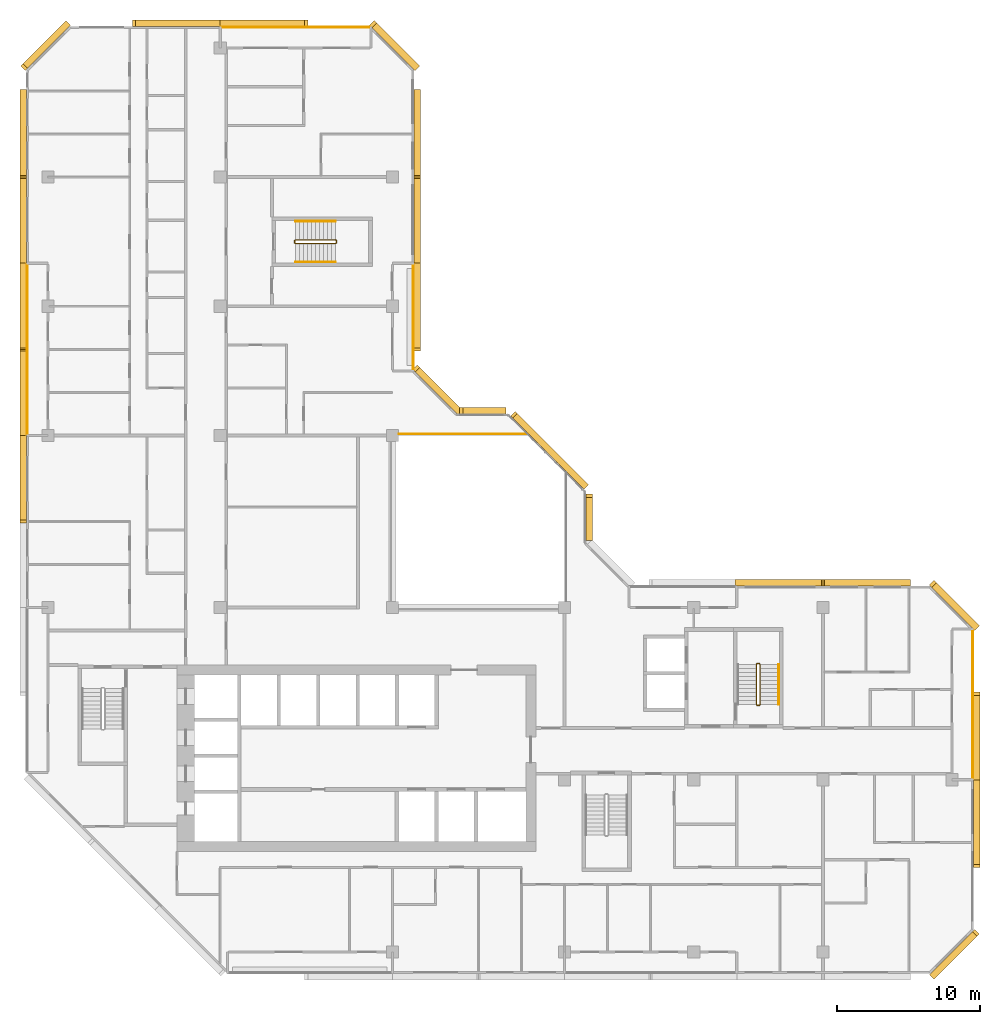
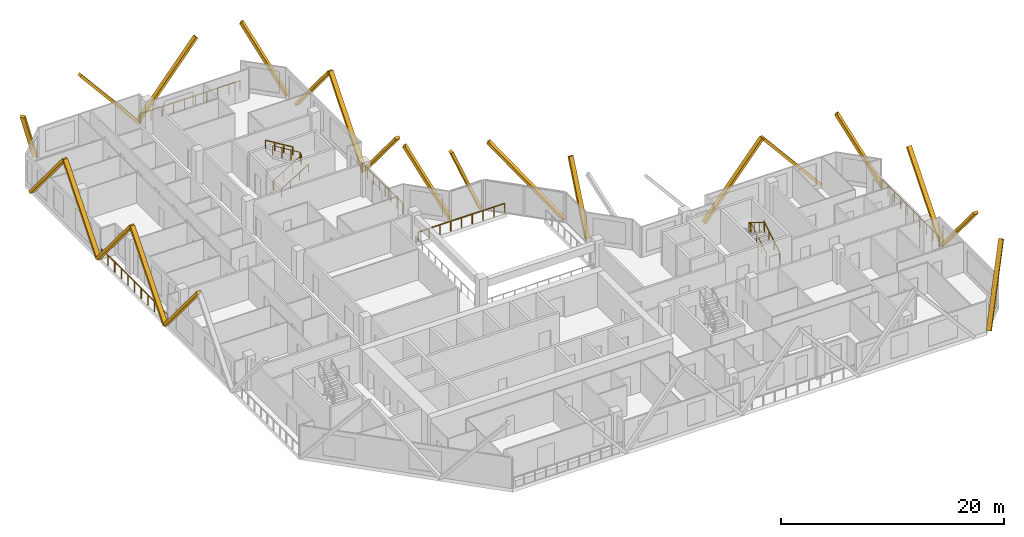
# One storey, part 14 of 14: 22 coverings, 10 railings.
"""IFC4 building model written with IfcOpenShell, lengths in metres."""

import ifcopenshell
import ifcopenshell.guid

model = None  # the IFC model being written
_history = None  # IfcOwnerHistory: only IFC2X3 demands one
_inside = {}  # id of a spatial element -> (the spatial element, [elements in it])
_under = {}  # id of a project, library or spatial element -> (it, [spatial elements below it])
_declared = {}  # id of a project -> (the project, [libraries it declares])
_typed = {}  # id of a type object -> (the type object, [elements of that type])
_made_of = {}  # id of a material, layer set ... -> (it, [elements and type objects made of it])


def new_model(schema):
    """Start an empty IFC model of exactly this schema.

    Asked for "IFC4X3", IfcOpenShell would pick the latest addendum, in which some entities
    have other attributes; the version numbers below select the first issue.
    IFC2X3 requires an IfcOwnerHistory on every rooted entity: one is made here for all.
    """
    global model, _history
    if schema == "IFC4X3":
        model = ifcopenshell.file(schema_version=(4, 3, 0, 0))
    else:
        model = ifcopenshell.file(schema=schema)
    _inside.clear()
    _under.clear()
    _declared.clear()
    _typed.clear()
    _made_of.clear()
    _history = None
    if model.schema == "IFC2X3":
        org = make("IfcOrganization", Name="unknown")
        user = make(
            "IfcPersonAndOrganization",
            ThePerson=make("IfcPerson", FamilyName="unknown"),
            TheOrganization=org,
        )
        app = make(
            "IfcApplication",
            ApplicationDeveloper=org,
            Version="unknown",
            ApplicationFullName="unknown",
            ApplicationIdentifier="unknown",
        )
        _history = make(
            "IfcOwnerHistory",
            OwningUser=user,
            OwningApplication=app,
            ChangeAction="ADDED",
            CreationDate=0,
        )
    return model


def make(cls, **values):
    """One entity of the class cls with the attributes given. An attribute that is None is left unset."""
    return model.create_entity(
        cls, **{name: value for name, value in values.items() if value is not None}
    )


def rooted(cls, **values):
    """An entity with a GlobalId (a new one), such as an element, a storey or a relation."""
    return make(cls, GlobalId=ifcopenshell.guid.new(), OwnerHistory=_history, **values)


def si_unit(unit_type, name, prefix=None):
    """IfcSIUnit, for example si_unit("LENGTHUNIT", "METRE", prefix="MILLI")."""
    return make("IfcSIUnit", UnitType=unit_type, Prefix=prefix, Name=name)


def assignment(units):
    """IfcUnitAssignment: the units of a project."""
    return None if units is None else make("IfcUnitAssignment", Units=units)


def point(xyz):
    """IfcCartesianPoint."""
    return None if xyz is None else make("IfcCartesianPoint", Coordinates=xyz)


def direction(xyz):
    """IfcDirection."""
    return None if xyz is None else make("IfcDirection", DirectionRatios=xyz)


def frame(location, z_axis=None, x_axis=None):
    """IfcAxis2Placement3D, a coordinate frame: its origin and axes. An axis left out is left unset."""
    return make(
        "IfcAxis2Placement3D",
        Location=point(location),
        Axis=direction(z_axis),
        RefDirection=direction(x_axis),
    )


def frame_2d(location, x_axis=None):
    """IfcAxis2Placement2D, a coordinate frame in the plane: its origin and x axis."""
    return make(
        "IfcAxis2Placement2D", Location=point(location), RefDirection=direction(x_axis)
    )


def origin():
    """The frame at (0, 0, 0) with its axes left unset."""
    return frame((0.0, 0.0, 0.0))


def origin_2d():
    """The frame at (0, 0) in the plane with its x axis left unset."""
    return frame_2d((0.0, 0.0))


def place(relative_to, where):
    """IfcLocalPlacement: puts the frame where relative to a parent placement (None: the world)."""
    return make(
        "IfcLocalPlacement", PlacementRelTo=relative_to, RelativePlacement=where
    )


def context(
    kind, dimensions, precision=None, world=None, true_north=None, identifier=None
):
    """IfcGeometricRepresentationContext, for example the 3D "Model" context."""
    return make(
        "IfcGeometricRepresentationContext",
        ContextIdentifier=identifier,
        ContextType=kind,
        CoordinateSpaceDimension=dimensions,
        Precision=precision,
        WorldCoordinateSystem=world,
        TrueNorth=true_north,
    )


def subcontext(parent, identifier, kind, view, scale=None):
    """IfcGeometricRepresentationSubContext, for example "Body" below "Model"."""
    return make(
        "IfcGeometricRepresentationSubContext",
        ContextIdentifier=identifier,
        ContextType=kind,
        ParentContext=parent,
        TargetScale=scale,
        TargetView=view,
    )


def project(units=None, contexts=None):
    """IfcProject with its units and contexts."""
    return rooted(
        "IfcProject",
        Name="project",
        RepresentationContexts=contexts,
        UnitsInContext=assignment(units),
    )


def spatial(cls, under=None, at=None, **own):
    """A site, building, storey or space (cls), placed at a placement, below another one or the project."""
    s = rooted(cls, ObjectPlacement=at, **own)
    if under is not None:
        _under.setdefault(under.id(), (under, []))[1].append(s)
    return s


def profile(cls, at=None, kind="AREA", **sizes):
    """A parametric profile (cls). Its sizes go by their IFC names, for example OverallWidth=200.0."""
    return make(cls, ProfileType=kind, Position=at, **sizes)


def rectangle(**sizes):
    """IfcRectangleProfileDef."""
    return profile("IfcRectangleProfileDef", **sizes)


def extrude(swept, where, along, depth):
    """IfcExtrudedAreaSolid: the profile swept, set in the frame where, extruded along a direction by depth."""
    return make(
        "IfcExtrudedAreaSolid",
        SweptArea=swept,
        Position=where,
        ExtrudedDirection=direction(along),
        Depth=depth,
    )


def shape(context_of_items, identifier, shape_type, items):
    """IfcShapeRepresentation: the items that make up one representation, for example the "Body"."""
    return make(
        "IfcShapeRepresentation",
        ContextOfItems=context_of_items,
        RepresentationIdentifier=identifier,
        RepresentationType=shape_type,
        Items=items,
    )


def material(Name=None, Category=None):
    """IfcMaterial."""
    return make("IfcMaterial", Name=Name, Category=Category)


def material_profile(
    of_material, cross_section, Name=None, Category=None, Priority=None
):
    """IfcMaterialProfile: a cross section and its material."""
    return make(
        "IfcMaterialProfile",
        Name=Name,
        Material=of_material,
        Profile=cross_section,
        Priority=Priority,
        Category=Category,
    )


def profile_set(profiles, Name=None, composite=None):
    """IfcMaterialProfileSet."""
    return make(
        "IfcMaterialProfileSet",
        Name=Name,
        MaterialProfiles=profiles,
        CompositeProfile=composite,
    )


def made_of(thing, what):
    """Note that an element or type object is made of a material, layer set ...; save() writes the relation."""
    if what is not None:
        _made_of.setdefault(what.id(), (what, []))[1].append(thing)
    return thing


def type_object(cls, material=None, **own):
    """A type object (cls), such as IfcWallType, which elements share."""
    return made_of(rooted(cls, **own), material)


def element(
    cls,
    number,
    at=None,
    inside=None,
    cuts=None,
    type_object=None,
    material=None,
    context=None,
    identifier="Body",
    shape_type=None,
    held_by="IfcProductDefinitionShape",
    body=None,
    shapes=None,
    **own,
):
    """One element of the class cls, such as IfcWall. Its Tag is "e" and its number.

    at: its placement. inside: the storey or other place that contains it. cuts: it is an
    opening in that element (IfcRelVoidsElement). A single representation is given by context,
    identifier, shape_type and body (its items); several are given by shapes. held_by: the class
    of the entity that holds the representations. save() writes the other relations.
    """
    e = rooted(cls, Tag="e%d" % number, ObjectPlacement=at, **own)
    if body is not None:
        shapes = [shape(context, identifier, shape_type, body)]
    if shapes is not None:
        e.Representation = make(held_by, Representations=shapes)
    if inside is not None:
        _inside.setdefault(inside.id(), (inside, []))[1].append(e)
    if cuts is not None:
        rooted(
            "IfcRelVoidsElement", RelatingBuildingElement=cuts, RelatedOpeningElement=e
        )
    if type_object is not None:
        _typed.setdefault(type_object.id(), (type_object, []))[1].append(e)
    return made_of(e, material)


def aggregate(whole, parts):
    """IfcRelAggregates: a whole, such as a stair, and the parts it consists of."""
    return rooted("IfcRelAggregates", RelatingObject=whole, RelatedObjects=parts)


def save(model, path):
    """Write the relations noted so far, then the file.

    IfcRelAggregates (storeys below a building ...), IfcRelContainedInSpatialStructure (elements
    in a storey), IfcRelDefinesByType, IfcRelAssociatesMaterial and IfcRelDeclares: one each for
    every whole, place, type object, material and project.
    """
    for whole, parts in _under.values():
        aggregate(whole, parts)
    for where, things in _inside.values():
        rooted(
            "IfcRelContainedInSpatialStructure",
            RelatedElements=things,
            RelatingStructure=where,
        )
    for kind, things in _typed.values():
        rooted("IfcRelDefinesByType", RelatedObjects=things, RelatingType=kind)
    for what, things in _made_of.values():
        rooted("IfcRelAssociatesMaterial", RelatedObjects=things, RelatingMaterial=what)
    for by, libraries in _declared.values():
        rooted("IfcRelDeclares", RelatingContext=by, RelatedDefinitions=libraries)
    model.write(path)


model = new_model("IFC4")

# Units and contexts
model_context = context("Model", 3, precision=1e-05, world=origin(), true_north=direction((0.0, 1.0)))
body_context = subcontext(model_context, "Body", "Model", "MODEL_VIEW")
ifc_project = project(units=[si_unit("LENGTHUNIT", "METRE"), si_unit("AREAUNIT", "SQUARE_METRE"), si_unit("VOLUMEUNIT", "CUBIC_METRE"), si_unit("PLANEANGLEUNIT", "RADIAN"), si_unit("MASSUNIT", "GRAM", prefix="KILO")], contexts=[model_context])

# Site, building, storey
site_placement = place(None, origin())
site = spatial("IfcSite", under=ifc_project, at=site_placement, CompositionType="ELEMENT")
building_placement = place(site_placement, origin())
building = spatial("IfcBuilding", under=site, at=building_placement, Name="Chenar Terraces", CompositionType="ELEMENT")
storey_placement = place(building_placement, frame((0.0, 0.0, 226.64990234375)))
storey = spatial("IfcBuildingStorey", under=building, at=storey_placement, Name="L53", CompositionType="ELEMENT", Elevation=226.64990234375)

# Railings
ifc_material_1 = material(Name="Powder-coated steel", Category="steel")
railing_type_1 = type_object("IfcRailingType", Name="Guard 1100 steel rail with glass infill", PredefinedType="GUARDRAIL", material=ifc_material_1)
railing_1_placement = place(storey_placement, frame((24.47509765625, 36.10009765625, 0.0)))
element("IfcRailing", 1, at=railing_1_placement, inside=storey, type_object=railing_type_1, Name="Guard L53-2", PredefinedType="GUARDRAIL", context=body_context, shape_type="SweptSolid", body=[
    extrude(rectangle(XDim=0.06005859375, YDim=0.06005859375, at=origin_2d()), frame((0.0, 0.0, 1.070068359375), z_axis=(1.0, 0.0, 0.0), x_axis=(0.0, 1.0, 0.0)), (0.0, 0.0, 1.0), 8.9248046875),
    extrude(rectangle(XDim=0.050048828125, YDim=0.050048828125, at=origin_2d()), origin(), (0.0, 0.0, 1.0), 1.0400390625),
    extrude(rectangle(XDim=0.050048828125, YDim=0.050048828125, at=origin_2d()), frame((1.11572265625, 0.0, 0.0)), (0.0, 0.0, 1.0), 1.0400390625),
    extrude(rectangle(XDim=0.050048828125, YDim=0.050048828125, at=origin_2d()), frame((2.231201171875, 0.0, 0.0)), (0.0, 0.0, 1.0), 1.0400390625),
    extrude(rectangle(XDim=0.050048828125, YDim=0.050048828125, at=origin_2d()), frame((3.3466796875, 0.0, 0.0)), (0.0, 0.0, 1.0), 1.0400390625),
    extrude(rectangle(XDim=0.050048828125, YDim=0.050048828125, at=origin_2d()), frame((4.46240234375, 0.0, 0.0)), (0.0, 0.0, 1.0), 1.0400390625),
    extrude(rectangle(XDim=0.050048828125, YDim=0.050048828125, at=origin_2d()), frame((5.578125, 0.0, 0.0)), (0.0, 0.0, 1.0), 1.0400390625),
    extrude(rectangle(XDim=0.050048828125, YDim=0.050048828125, at=origin_2d()), frame((6.693603515625, 0.0, 0.0)), (0.0, 0.0, 1.0), 1.0400390625),
    extrude(rectangle(XDim=0.050048828125, YDim=0.050048828125, at=origin_2d()), frame((7.80908203125, 0.0, 0.0)), (0.0, 0.0, 1.0), 1.0400390625),
    extrude(rectangle(XDim=0.050048828125, YDim=0.050048828125, at=origin_2d()), frame((8.9248046875, 0.0, 0.0)), (0.0, 0.0, 1.0), 1.0400390625),
])
ifc_material_2 = material(Name="Stainless steel and glass", Category="steel")
railing_type_2 = type_object("IfcRailingType", Name="Loggia guard 1150", PredefinedType="GUARDRAIL", material=ifc_material_2)
railing_2_placement = place(storey_placement, frame((25.449951171875, 40.574951171875, 0.0)))
element("IfcRailing", 2, at=railing_2_placement, inside=storey, type_object=railing_type_2, Name="Loggia guard", PredefinedType="GUARDRAIL", context=body_context, shape_type="SweptSolid", body=[
    extrude(rectangle(XDim=0.048095703125, YDim=0.048095703125, at=origin_2d()), frame((0.0, 0.0, 1.1259765625), z_axis=(0.0, 1.0, 0.0), x_axis=(-1.0, 0.0, 0.0)), (0.0, 0.0, 1.0), 7.35009765625),
    extrude(rectangle(XDim=0.0419921875, YDim=0.0419921875, at=origin_2d()), origin(), (0.0, 0.0, 1.0), 1.101806640625),
    extrude(rectangle(XDim=0.0419921875, YDim=0.0419921875, at=origin_2d()), frame((0.0, 1.050048828125, 0.0)), (0.0, 0.0, 1.0), 1.101806640625),
    extrude(rectangle(XDim=0.0419921875, YDim=0.0419921875, at=origin_2d()), frame((0.0, 2.10009765625, 0.0)), (0.0, 0.0, 1.0), 1.101806640625),
    extrude(rectangle(XDim=0.0419921875, YDim=0.0419921875, at=origin_2d()), frame((0.0, 3.150146484375, 0.0)), (0.0, 0.0, 1.0), 1.101806640625),
    extrude(rectangle(XDim=0.0419921875, YDim=0.0419921875, at=origin_2d()), frame((0.0, 4.199951171875, 0.0)), (0.0, 0.0, 1.0), 1.101806640625),
    extrude(rectangle(XDim=0.0419921875, YDim=0.0419921875, at=origin_2d()), frame((0.0, 5.25, 0.0)), (0.0, 0.0, 1.0), 1.101806640625),
    extrude(rectangle(XDim=0.0419921875, YDim=0.0419921875, at=origin_2d()), frame((0.0, 6.300048828125, 0.0)), (0.0, 0.0, 1.0), 1.101806640625),
    extrude(rectangle(XDim=0.0419921875, YDim=0.0419921875, at=origin_2d()), frame((0.0, 7.35009765625, 0.0)), (0.0, 0.0, 1.0), 1.101806640625),
])
railing_3_placement = place(storey_placement, frame((64.449951171875, 12.074951171875, 0.0)))
element("IfcRailing", 3, at=railing_3_placement, inside=storey, type_object=railing_type_2, Name="Loggia guard", PredefinedType="GUARDRAIL", context=body_context, shape_type="SweptSolid", body=[
    extrude(rectangle(XDim=0.048095703125, YDim=0.048095703125, at=origin_2d()), frame((0.0, 0.0, 1.1259765625), z_axis=(0.0, 1.0, 0.0), x_axis=(-1.0, 0.0, 0.0)), (0.0, 0.0, 1.0), 10.35009765625),
    extrude(rectangle(XDim=0.0419921875, YDim=0.0419921875, at=origin_2d()), origin(), (0.0, 0.0, 1.0), 1.101806640625),
    extrude(rectangle(XDim=0.0419921875, YDim=0.0419921875, at=origin_2d()), frame((0.0, 1.14990234375, 0.0)), (0.0, 0.0, 1.0), 1.101806640625),
    extrude(rectangle(XDim=0.0419921875, YDim=0.0419921875, at=origin_2d()), frame((0.0, 2.300048828125, 0.0)), (0.0, 0.0, 1.0), 1.101806640625),
    extrude(rectangle(XDim=0.0419921875, YDim=0.0419921875, at=origin_2d()), frame((0.0, 3.449951171875, 0.0)), (0.0, 0.0, 1.0), 1.101806640625),
    extrude(rectangle(XDim=0.0419921875, YDim=0.0419921875, at=origin_2d()), frame((0.0, 4.60009765625, 0.0)), (0.0, 0.0, 1.0), 1.101806640625),
    extrude(rectangle(XDim=0.0419921875, YDim=0.0419921875, at=origin_2d()), frame((0.0, 5.75, 0.0)), (0.0, 0.0, 1.0), 1.101806640625),
    extrude(rectangle(XDim=0.0419921875, YDim=0.0419921875, at=origin_2d()), frame((0.0, 6.900146484375, 0.0)), (0.0, 0.0, 1.0), 1.101806640625),
    extrude(rectangle(XDim=0.0419921875, YDim=0.0419921875, at=origin_2d()), frame((0.0, 8.050048828125, 0.0)), (0.0, 0.0, 1.0), 1.101806640625),
    extrude(rectangle(XDim=0.0419921875, YDim=0.0419921875, at=origin_2d()), frame((0.0, 9.2001953125, 0.0)), (0.0, 0.0, 1.0), 1.101806640625),
    extrude(rectangle(XDim=0.0419921875, YDim=0.0419921875, at=origin_2d()), frame((0.0, 10.35009765625, 0.0)), (0.0, 0.0, 1.0), 1.101806640625),
])
railing_4_placement = place(storey_placement, frame((22.425048828125, 64.449951171875, 0.0)))
element("IfcRailing", 4, at=railing_4_placement, inside=storey, type_object=railing_type_2, Name="Loggia guard", PredefinedType="GUARDRAIL", context=body_context, shape_type="SweptSolid", body=[
    extrude(rectangle(XDim=0.048095703125, YDim=0.048095703125, at=origin_2d()), frame((0.0, 0.0, 1.1259765625), z_axis=(-1.0, 0.0, 0.0), x_axis=(0.0, -1.0, 0.0)), (0.0, 0.0, 1.0), 10.35009765625),
    extrude(rectangle(XDim=0.0419921875, YDim=0.0419921875, at=origin_2d()), origin(), (0.0, 0.0, 1.0), 1.101806640625),
    extrude(rectangle(XDim=0.0419921875, YDim=0.0419921875, at=origin_2d()), frame((-1.14990234375, 0.0, 0.0)), (0.0, 0.0, 1.0), 1.101806640625),
    extrude(rectangle(XDim=0.0419921875, YDim=0.0419921875, at=origin_2d()), frame((-2.300048828125, 0.0, 0.0)), (0.0, 0.0, 1.0), 1.101806640625),
    extrude(rectangle(XDim=0.0419921875, YDim=0.0419921875, at=origin_2d()), frame((-3.449951171875, 0.0, 0.0)), (0.0, 0.0, 1.0), 1.101806640625),
    extrude(rectangle(XDim=0.0419921875, YDim=0.0419921875, at=origin_2d()), frame((-4.60009765625, 0.0, 0.0)), (0.0, 0.0, 1.0), 1.101806640625),
    extrude(rectangle(XDim=0.0419921875, YDim=0.0419921875, at=origin_2d()), frame((-5.75, 0.0, 0.0)), (0.0, 0.0, 1.0), 1.101806640625),
    extrude(rectangle(XDim=0.0419921875, YDim=0.0419921875, at=origin_2d()), frame((-6.900146484375, 0.0, 0.0)), (0.0, 0.0, 1.0), 1.101806640625),
    extrude(rectangle(XDim=0.0419921875, YDim=0.0419921875, at=origin_2d()), frame((-8.050048828125, 0.0, 0.0)), (0.0, 0.0, 1.0), 1.101806640625),
    extrude(rectangle(XDim=0.0419921875, YDim=0.0419921875, at=origin_2d()), frame((-9.2001953125, 0.0, 0.0)), (0.0, 0.0, 1.0), 1.101806640625),
    extrude(rectangle(XDim=0.0419921875, YDim=0.0419921875, at=origin_2d()), frame((-10.35009765625, 0.0, 0.0)), (0.0, 0.0, 1.0), 1.101806640625),
])
railing_5_placement = place(storey_placement, frame((-1.449951171875, 47.925048828125, 0.0)))
element("IfcRailing", 5, at=railing_5_placement, inside=storey, type_object=railing_type_2, Name="Loggia guard", PredefinedType="GUARDRAIL", context=body_context, shape_type="SweptSolid", body=[
    extrude(rectangle(XDim=0.048095703125, YDim=0.048095703125, at=origin_2d()), frame((0.0, 0.0, 1.1259765625), z_axis=(0.0, -1.0, 0.0), x_axis=(1.0, 0.0, 0.0)), (0.0, 0.0, 1.0), 11.85009765625),
    extrude(rectangle(XDim=0.0419921875, YDim=0.0419921875, at=origin_2d()), origin(), (0.0, 0.0, 1.0), 1.101806640625),
    extrude(rectangle(XDim=0.0419921875, YDim=0.0419921875, at=origin_2d()), frame((0.0, -1.18505859375, 0.0)), (0.0, 0.0, 1.0), 1.101806640625),
    extrude(rectangle(XDim=0.0419921875, YDim=0.0419921875, at=origin_2d()), frame((0.0, -2.3701171875, 0.0)), (0.0, 0.0, 1.0), 1.101806640625),
    extrude(rectangle(XDim=0.0419921875, YDim=0.0419921875, at=origin_2d()), frame((0.0, -3.554931640625, 0.0)), (0.0, 0.0, 1.0), 1.101806640625),
    extrude(rectangle(XDim=0.0419921875, YDim=0.0419921875, at=origin_2d()), frame((0.0, -4.739990234375, 0.0)), (0.0, 0.0, 1.0), 1.101806640625),
    extrude(rectangle(XDim=0.0419921875, YDim=0.0419921875, at=origin_2d()), frame((0.0, -5.925048828125, 0.0)), (0.0, 0.0, 1.0), 1.101806640625),
    extrude(rectangle(XDim=0.0419921875, YDim=0.0419921875, at=origin_2d()), frame((0.0, -7.110107421875, 0.0)), (0.0, 0.0, 1.0), 1.101806640625),
    extrude(rectangle(XDim=0.0419921875, YDim=0.0419921875, at=origin_2d()), frame((0.0, -8.295166015625, 0.0)), (0.0, 0.0, 1.0), 1.101806640625),
    extrude(rectangle(XDim=0.0419921875, YDim=0.0419921875, at=origin_2d()), frame((0.0, -9.47998046875, 0.0)), (0.0, 0.0, 1.0), 1.101806640625),
    extrude(rectangle(XDim=0.0419921875, YDim=0.0419921875, at=origin_2d()), frame((0.0, -10.6650390625, 0.0)), (0.0, 0.0, 1.0), 1.101806640625),
    extrude(rectangle(XDim=0.0419921875, YDim=0.0419921875, at=origin_2d()), frame((0.0, -11.85009765625, 0.0)), (0.0, 0.0, 1.0), 1.101806640625),
])
ifc_material_3 = material(Name="Powder-coated steel", Category="steel")
railing_type_3 = type_object("IfcRailingType", Name="Stair guard 1100", PredefinedType="GUARDRAIL", material=ifc_material_3)
railing_6_placement = place(storey_placement, frame((49.375, 17.25, 3.75)))
element("IfcRailing", 6, at=railing_6_placement, inside=storey, type_object=railing_type_3, Name="L53 ST3 stair guard 1", PredefinedType="GUARDRAIL", context=body_context, shape_type="SweptSolid", body=[
    extrude(rectangle(XDim=0.048095703125, YDim=0.048095703125, at=origin_2d()), frame((0.0, 0.0, 1.076171875), z_axis=(0.0, 0.854202870247, -0.519939858505), x_axis=(-1.0, 0.0, 0.0)), (0.0, 0.0, 1.0), 3.278076171875),
    extrude(rectangle(XDim=0.048095703125, YDim=0.048095703125, at=origin_2d()), frame((0.0, 2.800048828125, -0.62841796875), z_axis=(0.270899902878, 0.270899902878, -0.923702595667), x_axis=(-0.707106781187, 0.707106781187, 0.0)), (0.0, 0.0, 1.0), 0.184814453125),
    extrude(rectangle(XDim=0.048095703125, YDim=0.048095703125, at=origin_2d()), frame((0.050048828125, 2.85009765625, -0.798828125), z_axis=(1.0, 0.0, 0.0), x_axis=(0.0, 1.0, 0.0)), (0.0, 0.0, 1.0), 0.14990234375),
    extrude(rectangle(XDim=0.048095703125, YDim=0.048095703125, at=origin_2d()), frame((0.199951171875, 2.85009765625, -0.798828125), z_axis=(0.707106781187, -0.707106781187, 0.0), x_axis=(0.707106781187, 0.707106781187, 0.0)), (0.0, 0.0, 1.0), 0.07080078125),
    extrude(rectangle(XDim=0.048095703125, YDim=0.048095703125, at=origin_2d()), frame((0.25, 2.800048828125, -0.798828125), z_axis=(0.0, -0.854202870247, -0.519939858505), x_axis=(1.0, 0.0, 0.0)), (0.0, 0.0, 1.0), 3.278076171875),
    extrude(rectangle(XDim=0.048095703125, YDim=0.048095703125, at=origin_2d()), frame((0.25, 0.0, -2.50341796875), z_axis=(-0.270899902878, -0.270899902878, -0.923702595667), x_axis=(0.707106781187, -0.707106781187, 0.0)), (0.0, 0.0, 1.0), 0.184814453125),
    extrude(rectangle(XDim=0.048095703125, YDim=0.048095703125, at=origin_2d()), frame((0.199951171875, -0.050048828125, -2.673828125), z_axis=(-1.0, 0.0, 0.0), x_axis=(0.0, -1.0, 0.0)), (0.0, 0.0, 1.0), 0.14990234375),
    extrude(rectangle(XDim=0.0419921875, YDim=0.0419921875, at=origin_2d()), origin(), (0.0, 0.0, 1.0), 1.052001953125),
    extrude(rectangle(XDim=0.0419921875, YDim=0.0419921875, at=origin_2d()), frame((0.0, 0.933349609375, -0.568115234375)), (0.0, 0.0, 1.0), 1.052001953125),
    extrude(rectangle(XDim=0.0419921875, YDim=0.0419921875, at=origin_2d()), frame((0.0, 1.86669921875, -1.13623046875)), (0.0, 0.0, 1.0), 1.052001953125),
    extrude(rectangle(XDim=0.0419921875, YDim=0.0419921875, at=origin_2d()), frame((0.0, 2.800048828125, -1.704345703125)), (0.0, 0.0, 1.0), 1.052001953125),
    extrude(rectangle(XDim=0.0419921875, YDim=0.0419921875, at=origin_2d()), frame((0.050048828125, 2.85009765625, -1.875)), (0.0, 0.0, 1.0), 1.052001953125),
    extrude(rectangle(XDim=0.0419921875, YDim=0.0419921875, at=origin_2d()), frame((0.199951171875, 2.85009765625, -1.875)), (0.0, 0.0, 1.0), 1.052001953125),
    extrude(rectangle(XDim=0.0419921875, YDim=0.0419921875, at=origin_2d()), frame((0.25, 2.800048828125, -1.875)), (0.0, 0.0, 1.0), 1.052001953125),
    extrude(rectangle(XDim=0.0419921875, YDim=0.0419921875, at=origin_2d()), frame((0.25, 1.86669921875, -2.443115234375)), (0.0, 0.0, 1.0), 1.052001953125),
    extrude(rectangle(XDim=0.0419921875, YDim=0.0419921875, at=origin_2d()), frame((0.25, 0.933349609375, -3.01123046875)), (0.0, 0.0, 1.0), 1.052001953125),
    extrude(rectangle(XDim=0.0419921875, YDim=0.0419921875, at=origin_2d()), frame((0.25, 0.0, -3.579345703125)), (0.0, 0.0, 1.0), 1.052001953125),
    extrude(rectangle(XDim=0.0419921875, YDim=0.0419921875, at=origin_2d()), frame((0.199951171875, -0.050048828125, -3.75)), (0.0, 0.0, 1.0), 1.052001953125),
    extrude(rectangle(XDim=0.0419921875, YDim=0.0419921875, at=origin_2d()), frame((0.050048828125, -0.050048828125, -3.75)), (0.0, 0.0, 1.0), 1.052001953125),
])
railing_7_placement = place(storey_placement, frame((17.25, 49.625, 3.75)))
element("IfcRailing", 7, at=railing_7_placement, inside=storey, type_object=railing_type_3, Name="L53 ST4 stair guard 1", PredefinedType="GUARDRAIL", context=body_context, shape_type="SweptSolid", body=[
    extrude(rectangle(XDim=0.048095703125, YDim=0.048095703125, at=origin_2d()), frame((0.0, 0.0, 1.076171875), z_axis=(0.854202870247, 0.0, -0.519939858505), x_axis=(0.0, 1.0, 0.0)), (0.0, 0.0, 1.0), 3.278076171875),
    extrude(rectangle(XDim=0.048095703125, YDim=0.048095703125, at=origin_2d()), frame((2.800048828125, 0.0, -0.62841796875), z_axis=(0.270899902878, -0.270899902878, -0.923702595667), x_axis=(0.707106781187, 0.707106781187, 0.0)), (0.0, 0.0, 1.0), 0.184814453125),
    extrude(rectangle(XDim=0.048095703125, YDim=0.048095703125, at=origin_2d()), frame((2.85009765625, -0.050048828125, -0.798828125), z_axis=(0.0, -1.0, 0.0), x_axis=(1.0, 0.0, 0.0)), (0.0, 0.0, 1.0), 0.14990234375),
    extrude(rectangle(XDim=0.048095703125, YDim=0.048095703125, at=origin_2d()), frame((2.85009765625, -0.199951171875, -0.798828125), z_axis=(-0.707106781187, -0.707106781187, 0.0), x_axis=(0.707106781187, -0.707106781187, 0.0)), (0.0, 0.0, 1.0), 0.07080078125),
    extrude(rectangle(XDim=0.048095703125, YDim=0.048095703125, at=origin_2d()), frame((2.800048828125, -0.25, -0.798828125), z_axis=(-0.854202870247, 0.0, -0.519939858505), x_axis=(0.0, -1.0, 0.0)), (0.0, 0.0, 1.0), 3.278076171875),
    extrude(rectangle(XDim=0.048095703125, YDim=0.048095703125, at=origin_2d()), frame((0.0, -0.25, -2.50341796875), z_axis=(-0.270899902878, 0.270899902878, -0.923702595667), x_axis=(-0.707106781187, -0.707106781187, 0.0)), (0.0, 0.0, 1.0), 0.184814453125),
    extrude(rectangle(XDim=0.048095703125, YDim=0.048095703125, at=origin_2d()), frame((-0.050048828125, -0.199951171875, -2.673828125), z_axis=(0.0, 1.0, 0.0), x_axis=(-1.0, 0.0, 0.0)), (0.0, 0.0, 1.0), 0.14990234375),
    extrude(rectangle(XDim=0.0419921875, YDim=0.0419921875, at=origin_2d()), origin(), (0.0, 0.0, 1.0), 1.052001953125),
    extrude(rectangle(XDim=0.0419921875, YDim=0.0419921875, at=origin_2d()), frame((0.933349609375, 0.0, -0.568115234375)), (0.0, 0.0, 1.0), 1.052001953125),
    extrude(rectangle(XDim=0.0419921875, YDim=0.0419921875, at=origin_2d()), frame((1.86669921875, 0.0, -1.13623046875)), (0.0, 0.0, 1.0), 1.052001953125),
    extrude(rectangle(XDim=0.0419921875, YDim=0.0419921875, at=origin_2d()), frame((2.800048828125, 0.0, -1.704345703125)), (0.0, 0.0, 1.0), 1.052001953125),
    extrude(rectangle(XDim=0.0419921875, YDim=0.0419921875, at=origin_2d()), frame((2.85009765625, -0.050048828125, -1.875)), (0.0, 0.0, 1.0), 1.052001953125),
    extrude(rectangle(XDim=0.0419921875, YDim=0.0419921875, at=origin_2d()), frame((2.85009765625, -0.199951171875, -1.875)), (0.0, 0.0, 1.0), 1.052001953125),
    extrude(rectangle(XDim=0.0419921875, YDim=0.0419921875, at=origin_2d()), frame((2.800048828125, -0.25, -1.875)), (0.0, 0.0, 1.0), 1.052001953125),
    extrude(rectangle(XDim=0.0419921875, YDim=0.0419921875, at=origin_2d()), frame((1.86669921875, -0.25, -2.443115234375)), (0.0, 0.0, 1.0), 1.052001953125),
    extrude(rectangle(XDim=0.0419921875, YDim=0.0419921875, at=origin_2d()), frame((0.933349609375, -0.25, -3.01123046875)), (0.0, 0.0, 1.0), 1.052001953125),
    extrude(rectangle(XDim=0.0419921875, YDim=0.0419921875, at=origin_2d()), frame((0.0, -0.25, -3.579345703125)), (0.0, 0.0, 1.0), 1.052001953125),
    extrude(rectangle(XDim=0.0419921875, YDim=0.0419921875, at=origin_2d()), frame((-0.050048828125, -0.199951171875, -3.75)), (0.0, 0.0, 1.0), 1.052001953125),
    extrude(rectangle(XDim=0.0419921875, YDim=0.0419921875, at=origin_2d()), frame((-0.050048828125, -0.050048828125, -3.75)), (0.0, 0.0, 1.0), 1.052001953125),
])
ifc_material_4 = material(Name="Powder-coated steel", Category="steel")
railing_type_4 = type_object("IfcRailingType", Name="Stair handrail 900", PredefinedType="HANDRAIL", material=ifc_material_4)
railing_8_placement = place(storey_placement, frame((50.925048828125, 17.25, 0.170654296875)))
element("IfcRailing", 8, at=railing_8_placement, inside=storey, type_object=railing_type_4, Name="L53 ST3 stair handrail 1", PredefinedType="HANDRAIL", context=body_context, shape_type="SweptSolid", body=[
    extrude(rectangle(XDim=0.048095703125, YDim=0.048095703125, at=origin_2d()), frame((0.0, 0.0, 0.8759765625), z_axis=(0.0, 0.854202870247, 0.519939858505), x_axis=(-1.0, 0.0, 0.0)), (0.0, 0.0, 1.0), 3.278076171875),
    extrude(rectangle(XDim=0.0419921875, YDim=0.0419921875, at=origin_2d()), origin(), (0.0, 0.0, 1.0), 0.851806640625),
    extrude(rectangle(XDim=0.0419921875, YDim=0.0419921875, at=origin_2d()), frame((0.0, 0.933349609375, 0.568115234375)), (0.0, 0.0, 1.0), 0.851806640625),
    extrude(rectangle(XDim=0.0419921875, YDim=0.0419921875, at=origin_2d()), frame((0.0, 1.86669921875, 1.13623046875)), (0.0, 0.0, 1.0), 0.851806640625),
    extrude(rectangle(XDim=0.0419921875, YDim=0.0419921875, at=origin_2d()), frame((0.0, 2.800048828125, 1.704345703125)), (0.0, 0.0, 1.0), 0.851806640625),
])
railing_9_placement = place(storey_placement, frame((17.25, 48.074951171875, 0.170654296875)))
element("IfcRailing", 9, at=railing_9_placement, inside=storey, type_object=railing_type_4, Name="L53 ST4 stair handrail 1", PredefinedType="HANDRAIL", context=body_context, shape_type="SweptSolid", body=[
    extrude(rectangle(XDim=0.048095703125, YDim=0.048095703125, at=origin_2d()), frame((0.0, 0.0, 0.8759765625), z_axis=(0.854202870247, 0.0, 0.519939858505), x_axis=(0.0, 1.0, 0.0)), (0.0, 0.0, 1.0), 3.278076171875),
    extrude(rectangle(XDim=0.0419921875, YDim=0.0419921875, at=origin_2d()), origin(), (0.0, 0.0, 1.0), 0.851806640625),
    extrude(rectangle(XDim=0.0419921875, YDim=0.0419921875, at=origin_2d()), frame((0.933349609375, 0.0, 0.568115234375)), (0.0, 0.0, 1.0), 0.851806640625),
    extrude(rectangle(XDim=0.0419921875, YDim=0.0419921875, at=origin_2d()), frame((1.86669921875, 0.0, 1.13623046875)), (0.0, 0.0, 1.0), 0.851806640625),
    extrude(rectangle(XDim=0.0419921875, YDim=0.0419921875, at=origin_2d()), frame((2.800048828125, 0.0, 1.704345703125)), (0.0, 0.0, 1.0), 0.851806640625),
])
railing_10_placement = place(storey_placement, frame((20.050048828125, 50.925048828125, 2.045654296875)))
element("IfcRailing", 10, at=railing_10_placement, inside=storey, type_object=railing_type_4, Name="L53 ST4 stair handrail 2", PredefinedType="HANDRAIL", context=body_context, shape_type="SweptSolid", body=[
    extrude(rectangle(XDim=0.048095703125, YDim=0.048095703125, at=origin_2d()), frame((0.0, 0.0, 0.8759765625), z_axis=(-0.854202870247, 0.0, 0.519939858505), x_axis=(0.0, -1.0, 0.0)), (0.0, 0.0, 1.0), 3.278076171875),
    extrude(rectangle(XDim=0.0419921875, YDim=0.0419921875, at=origin_2d()), origin(), (0.0, 0.0, 1.0), 0.851806640625),
    extrude(rectangle(XDim=0.0419921875, YDim=0.0419921875, at=origin_2d()), frame((-0.933349609375, 0.0, 0.568115234375)), (0.0, 0.0, 1.0), 0.851806640625),
    extrude(rectangle(XDim=0.0419921875, YDim=0.0419921875, at=origin_2d()), frame((-1.86669921875, 0.0, 1.13623046875)), (0.0, 0.0, 1.0), 0.851806640625),
    extrude(rectangle(XDim=0.0419921875, YDim=0.0419921875, at=origin_2d()), frame((-2.800048828125, 0.0, 1.704345703125)), (0.0, 0.0, 1.0), 0.851806640625),
])

# Coverings
ifc_material_5 = material(Name="Terracotta", Category="masonry")
ifc_material_profile = material_profile(ifc_material_5, rectangle(XDim=0.449951171875, YDim=0.280029296875, at=origin_2d()), Name="Terracotta baguette 450 x 280")
ifc_profile_set = profile_set([ifc_material_profile], Name="Terracotta")
covering_type = type_object("IfcCoveringType", Name="Terracotta baguette 450 x 280", PredefinedType="CLADDING", material=ifc_profile_set)
for number, where, z_axis, x_axis, name in (
    (11, (60.0, 25.72509765625, 0.150146484375), (-0.640186961885, 0.0, 0.768219144407), (0.0, -1.0, 0.0), "Terracotta baguette"),
    (12, (54.0, 25.72509765625, 7.35009765625), (-0.640186961885, 0.0, -0.768219144407), (0.0, -1.0, 0.0), "Terracotta baguette"),
):
    element("IfcCovering", number, at=place(storey_placement, frame(where, z_axis=z_axis, x_axis=x_axis)), inside=storey, type_object=covering_type, Name=name, PredefinedType="CLADDING", context=body_context, shape_type="SweptSolid", body=[
        extrude(rectangle(XDim=0.449951171875, YDim=0.280029296875, at=origin_2d()), origin(), (0.0, 0.0, 1.0), 9.372314453125),
    ])
covering_1_placement = place(storey_placement, frame((37.72509765625, 28.800048828125, 0.150146484375), z_axis=(0.0, 0.384617607118, 0.923075997031), x_axis=(-1.0, 0.0, 0.0)))
element("IfcCovering", 13, at=covering_1_placement, inside=storey, type_object=covering_type, Name="Terracotta baguette", PredefinedType="CLADDING", context=body_context, shape_type="SweptSolid", body=[
    extrude(rectangle(XDim=0.449951171875, YDim=0.280029296875, at=origin_2d()), origin(), (0.0, 0.0, 1.0), 7.800048828125),
])
covering_2_placement = place(storey_placement, frame((37.447021484375, 32.47119140625, 0.150146484375), z_axis=(-0.494240720479, 0.494240720479, 0.715158877761), x_axis=(-0.707106781187, -0.707106781187, 0.0)))
element("IfcCovering", 14, at=covering_2_placement, inside=storey, type_object=covering_type, Name="Terracotta baguette", PredefinedType="CLADDING", context=body_context, shape_type="SweptSolid", body=[
    extrude(rectangle(XDim=0.449951171875, YDim=0.280029296875, at=origin_2d()), origin(), (0.0, 0.0, 1.0), 10.067626953125),
])
covering_3_placement = place(storey_placement, frame((31.800048828125, 37.72509765625, 0.150146484375), z_axis=(-0.384617607118, 0.0, 0.923075997031), x_axis=(0.0, -1.0, 0.0)))
element("IfcCovering", 15, at=covering_3_placement, inside=storey, type_object=covering_type, Name="Terracotta baguette", PredefinedType="CLADDING", context=body_context, shape_type="SweptSolid", body=[
    extrude(rectangle(XDim=0.449951171875, YDim=0.280029296875, at=origin_2d()), origin(), (0.0, 0.0, 1.0), 7.800048828125),
])
covering_4_placement = place(storey_placement, frame((28.6591796875, 37.6591796875, 0.150146484375), z_axis=(-0.358980886355, 0.358980886355, 0.861548284464), x_axis=(-0.707106781187, -0.707106781187, 0.0)))
element("IfcCovering", 16, at=covering_4_placement, inside=storey, type_object=covering_type, Name="Terracotta baguette", PredefinedType="CLADDING", context=body_context, shape_type="SweptSolid", body=[
    extrude(rectangle(XDim=0.449951171875, YDim=0.280029296875, at=origin_2d()), origin(), (0.0, 0.0, 1.0), 8.35693359375),
])
for number, where, z_axis, x_axis, name in (
    (17, (25.72509765625, 42.0, 7.35009765625), (0.0, 0.640186961885, -0.768219144407), (-1.0, 0.0, 0.0), "Terracotta baguette"),
    (18, (25.72509765625, 48.0, 0.150146484375), (0.0, 0.640186961885, 0.768219144407), (-1.0, 0.0, 0.0), "Terracotta baguette"),
    (19, (25.72509765625, 54.0, 7.35009765625), (0.0, 0.640186961885, -0.768219144407), (-1.0, 0.0, 0.0), "Terracotta baguette"),
):
    element("IfcCovering", number, at=place(storey_placement, frame(where, z_axis=z_axis, x_axis=x_axis)), inside=storey, type_object=covering_type, Name=name, PredefinedType="CLADDING", context=body_context, shape_type="SweptSolid", body=[
        extrude(rectangle(XDim=0.449951171875, YDim=0.280029296875, at=origin_2d()), origin(), (0.0, 0.0, 1.0), 9.372314453125),
    ])
covering_5_placement = place(storey_placement, frame((25.6591796875, 61.6591796875, 0.150146484375), z_axis=(-0.358980886355, 0.358980886355, 0.861548284464), x_axis=(-0.707106781187, -0.707106781187, 0.0)))
element("IfcCovering", 20, at=covering_5_placement, inside=storey, type_object=covering_type, Name="Terracotta baguette", PredefinedType="CLADDING", context=body_context, shape_type="SweptSolid", body=[
    extrude(rectangle(XDim=0.449951171875, YDim=0.280029296875, at=origin_2d()), origin(), (0.0, 0.0, 1.0), 8.35693359375),
])
for number, where, z_axis, x_axis, name in (
    (21, (18.0, 64.72509765625, 7.35009765625), (-0.640186961885, 0.0, -0.768219144407), (0.0, -1.0, 0.0), "Terracotta baguette"),
    (22, (12.0, 64.72509765625, 0.150146484375), (-0.640186961885, 0.0, 0.768219144407), (0.0, -1.0, 0.0), "Terracotta baguette"),
):
    element("IfcCovering", number, at=place(storey_placement, frame(where, z_axis=z_axis, x_axis=x_axis)), inside=storey, type_object=covering_type, Name=name, PredefinedType="CLADDING", context=body_context, shape_type="SweptSolid", body=[
        extrude(rectangle(XDim=0.449951171875, YDim=0.280029296875, at=origin_2d()), origin(), (0.0, 0.0, 1.0), 9.372314453125),
    ])
covering_6_placement = place(storey_placement, frame((1.3408203125, 64.6591796875, 0.150146484375), z_axis=(-0.358980886355, -0.358980886355, 0.861548284464), x_axis=(0.707106781187, -0.707106781187, 0.0)))
element("IfcCovering", 23, at=covering_6_placement, inside=storey, type_object=covering_type, Name="Terracotta baguette", PredefinedType="CLADDING", context=body_context, shape_type="SweptSolid", body=[
    extrude(rectangle(XDim=0.449951171875, YDim=0.280029296875, at=origin_2d()), origin(), (0.0, 0.0, 1.0), 8.35693359375),
])
for number, where, z_axis, x_axis, name in (
    (24, (-1.72509765625, 60.0, 0.150146484375), (0.0, -0.640186961885, 0.768219144407), (1.0, 0.0, 0.0), "Terracotta baguette"),
    (25, (-1.72509765625, 54.0, 7.35009765625), (0.0, -0.640186961885, -0.768219144407), (1.0, 0.0, 0.0), "Terracotta baguette"),
    (26, (-1.72509765625, 48.0, 0.150146484375), (0.0, -0.640186961885, 0.768219144407), (1.0, 0.0, 0.0), "Terracotta baguette"),
    (27, (-1.72509765625, 42.0, 7.35009765625), (0.0, -0.640186961885, -0.768219144407), (1.0, 0.0, 0.0), "Terracotta baguette"),
    (28, (-1.72509765625, 36.0, 0.150146484375), (0.0, -0.640186961885, 0.768219144407), (1.0, 0.0, 0.0), "Terracotta baguette"),
):
    element("IfcCovering", number, at=place(storey_placement, frame(where, z_axis=z_axis, x_axis=x_axis)), inside=storey, type_object=covering_type, Name=name, PredefinedType="CLADDING", context=body_context, shape_type="SweptSolid", body=[
        extrude(rectangle(XDim=0.449951171875, YDim=0.280029296875, at=origin_2d()), origin(), (0.0, 0.0, 1.0), 9.372314453125),
    ])
covering_7_placement = place(storey_placement, frame((61.6591796875, -1.6591796875, 0.150146484375), z_axis=(0.358980886355, 0.358980886355, 0.861548284464), x_axis=(-0.707106781187, 0.707106781187, 0.0)))
element("IfcCovering", 29, at=covering_7_placement, inside=storey, type_object=covering_type, Name="Terracotta baguette", PredefinedType="CLADDING", context=body_context, shape_type="SweptSolid", body=[
    extrude(rectangle(XDim=0.449951171875, YDim=0.280029296875, at=origin_2d()), origin(), (0.0, 0.0, 1.0), 8.35693359375),
])
for number, where, z_axis, x_axis, name in (
    (30, (64.72509765625, 6.0, 7.35009765625), (0.0, 0.640186961885, -0.768219144407), (-1.0, 0.0, 0.0), "Terracotta baguette"),
    (31, (64.72509765625, 12.0, 0.150146484375), (0.0, 0.640186961885, 0.768219144407), (-1.0, 0.0, 0.0), "Terracotta baguette"),
):
    element("IfcCovering", number, at=place(storey_placement, frame(where, z_axis=z_axis, x_axis=x_axis)), inside=storey, type_object=covering_type, Name=name, PredefinedType="CLADDING", context=body_context, shape_type="SweptSolid", body=[
        extrude(rectangle(XDim=0.449951171875, YDim=0.280029296875, at=origin_2d()), origin(), (0.0, 0.0, 1.0), 9.372314453125),
    ])
covering_8_placement = place(storey_placement, frame((64.6591796875, 22.6591796875, 0.150146484375), z_axis=(-0.358980886355, 0.358980886355, 0.861548284464), x_axis=(-0.707106781187, -0.707106781187, 0.0)))
element("IfcCovering", 32, at=covering_8_placement, inside=storey, type_object=covering_type, Name="Terracotta baguette", PredefinedType="CLADDING", context=body_context, shape_type="SweptSolid", body=[
    extrude(rectangle(XDim=0.449951171875, YDim=0.280029296875, at=origin_2d()), origin(), (0.0, 0.0, 1.0), 8.35693359375),
])

save(model, "model.ifc")
